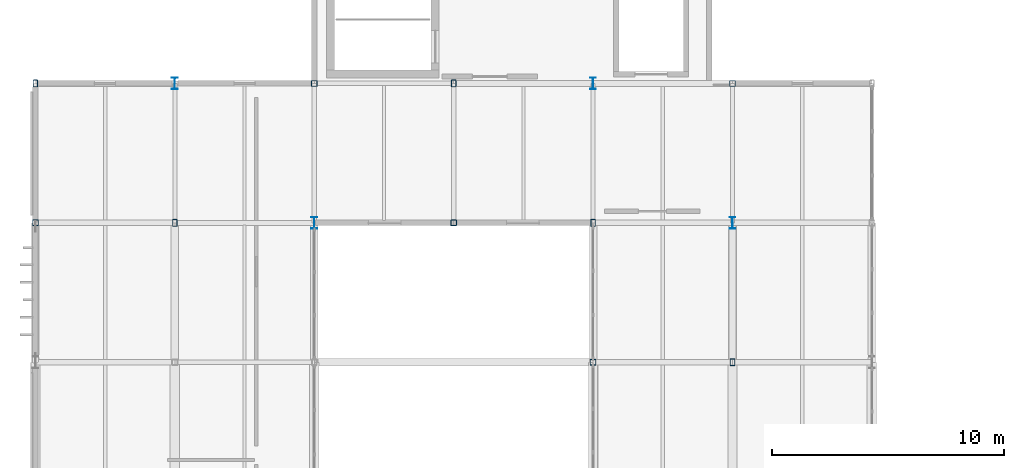
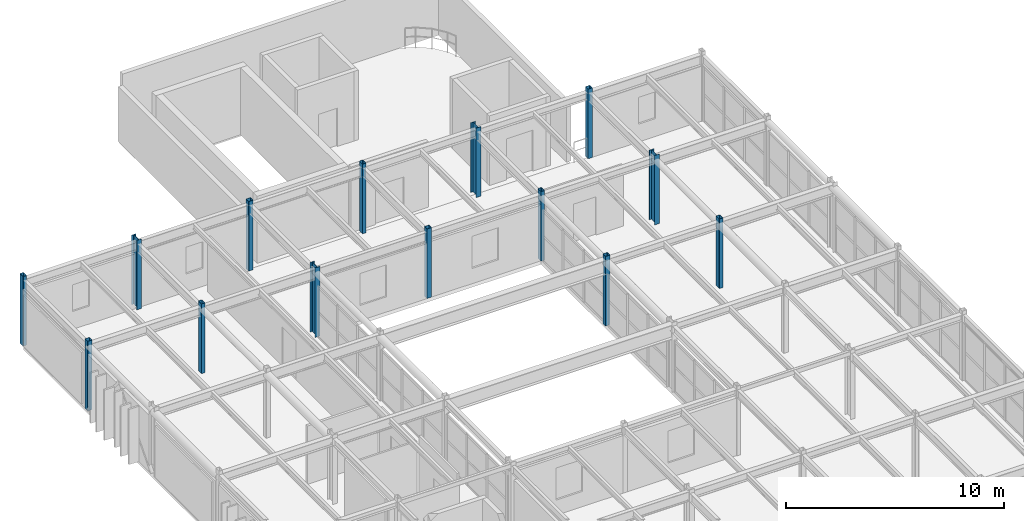
# One storey, part 3 of 63: 14 columns.
"""IFC4 building model written with IfcOpenShell, lengths in metres."""

from ifc_helpers import new_model, si_unit, direction, frame, origin, origin_2d, place, context, subcontext, project, spatial, hollow_rectangle, i_section, extrude, material, material_profile, profile_set, type_object, element, save


model = new_model("IFC4")

# Units and contexts
model_context = context("Model", 3, precision=1e-05, world=origin(), true_north=direction((0.0, 1.0)))
body_context = subcontext(model_context, "Body", "Model", "MODEL_VIEW")
ifc_project = project(units=[si_unit("LENGTHUNIT", "METRE"), si_unit("AREAUNIT", "SQUARE_METRE"), si_unit("VOLUMEUNIT", "CUBIC_METRE"), si_unit("PLANEANGLEUNIT", "RADIAN"), si_unit("MASSUNIT", "GRAM", prefix="KILO")], contexts=[model_context])

# Site, building, storey
site_placement = place(None, origin())
site = spatial("IfcSite", under=ifc_project, at=site_placement, CompositionType="ELEMENT")
building_placement = place(site_placement, origin())
building = spatial("IfcBuilding", under=site, at=building_placement, Name="Varnakota Square Police Headquarters", CompositionType="ELEMENT")
storey_placement = place(building_placement, frame((0.0, 0.0, 22.199951171875)))
storey = spatial("IfcBuildingStorey", under=building, at=storey_placement, Name="L05", CompositionType="ELEMENT", Elevation=22.199951171875)

# Columns
ifc_material = material(Name="Steel IS 2062 Grade 350", Category="steel")
ifc_material_profile_1 = material_profile(ifc_material, i_section(OverallWidth=0.25, OverallDepth=0.5, WebThickness=0.010009765625, FlangeThickness=0.0146484375, FilletRadius=0.014892578125, at=origin_2d()), Name="ISWB 500")
ifc_profile_set_1 = profile_set([ifc_material_profile_1], Name="Steel IS 2062 Grade 350")
column_type_1 = type_object("IfcColumnType", Name="COL-ISWB500", PredefinedType="COLUMN", material=ifc_profile_set_1)
for number, where, z_axis, x_axis, name in (
    (1, (12.0, 63.0, 0.0), (0.0, 0.0, 1.0), (1.0, 0.0, 0.0), "Column X0120-Y0630 L05"),
    (2, (18.0, 57.0, 0.0), (0.0, 0.0, 1.0), (1.0, 0.0, 0.0), "Column X0180-Y0570 L05"),
    (3, (30.0, 63.0, 0.0), (0.0, 0.0, 1.0), (1.0, 0.0, 0.0), "Column X0300-Y0630 L05"),
    (4, (36.0, 57.0, 0.0), (0.0, 0.0, 1.0), (1.0, 0.0, 0.0), "Column X0360-Y0570 L05"),
):
    element("IfcColumn", number, at=place(storey_placement, frame(where, z_axis=z_axis, x_axis=x_axis)), inside=storey, type_object=column_type_1, Name=name, PredefinedType="COLUMN", context=body_context, shape_type="SweptSolid", body=[
        extrude(i_section(OverallWidth=0.25, OverallDepth=0.5, WebThickness=0.010009765625, FlangeThickness=0.0146484375, FilletRadius=0.014892578125, at=origin_2d()), origin(), (0.0, 0.0, 1.0), 3.900146484375),
    ])
ifc_material_profile_2 = material_profile(ifc_material, hollow_rectangle(XDim=0.199951171875, YDim=0.300048828125, WallThickness=0.011962890625, InnerFilletRadius=0.011962890625, OuterFilletRadius=0.02392578125, at=origin_2d()), Name="RHS 300x200x12")
ifc_profile_set_2 = profile_set([ifc_material_profile_2], Name="Steel IS 2062 Grade 350")
column_type_2 = type_object("IfcColumnType", Name="COL-RHS300", PredefinedType="COLUMN", material=ifc_profile_set_2)
for number, where, z_axis, x_axis, name in (
    (5, (6.0, 63.0, 0.0), (0.0, 0.0, 1.0), (1.0, 0.0, 0.0), "Column X0060-Y0630 L05"),
    (6, (12.0, 57.0, 0.0), (0.0, 0.0, 1.0), (1.0, 0.0, 0.0), "Column X0120-Y0570 L05"),
    (7, (24.0, 63.0, 0.0), (0.0, 0.0, 1.0), (1.0, 0.0, 0.0), "Column X0240-Y0630 L05"),
    (8, (30.0, 57.0, 0.0), (0.0, 0.0, 1.0), (1.0, 0.0, 0.0), "Column X0300-Y0570 L05"),
    (9, (36.0, 51.0, 0.0), (0.0, 0.0, 1.0), (1.0, 0.0, 0.0), "Column X0360-Y0510 L05"),
):
    element("IfcColumn", number, at=place(storey_placement, frame(where, z_axis=z_axis, x_axis=x_axis)), inside=storey, type_object=column_type_2, Name=name, PredefinedType="COLUMN", context=body_context, shape_type="SweptSolid", body=[
        extrude(hollow_rectangle(XDim=0.199951171875, YDim=0.300048828125, WallThickness=0.011962890625, InnerFilletRadius=0.011962890625, OuterFilletRadius=0.02392578125, at=origin_2d()), origin(), (0.0, 0.0, 1.0), 3.900146484375),
    ])
ifc_material_profile_3 = material_profile(ifc_material, hollow_rectangle(XDim=0.25, YDim=0.25, WallThickness=0.011962890625, InnerFilletRadius=0.011962890625, OuterFilletRadius=0.02392578125, at=origin_2d()), Name="SHS 250x250x12")
ifc_profile_set_3 = profile_set([ifc_material_profile_3], Name="Steel IS 2062 Grade 350")
column_type_3 = type_object("IfcColumnType", Name="COL-SHS250", PredefinedType="COLUMN", material=ifc_profile_set_3)
for number, where, z_axis, x_axis, name in (
    (10, (6.0, 57.0, 0.0), (0.0, 0.0, 1.0), (1.0, 0.0, 0.0), "Column X0060-Y0570 L05"),
    (11, (18.0, 63.0, 0.0), (0.0, 0.0, 1.0), (1.0, 0.0, 0.0), "Column X0180-Y0630 L05"),
    (12, (24.0, 57.0, 0.0), (0.0, 0.0, 1.0), (1.0, 0.0, 0.0), "Column X0240-Y0570 L05"),
    (13, (30.0, 51.0, 0.0), (0.0, 0.0, 1.0), (1.0, 0.0, 0.0), "Column X0300-Y0510 L05"),
    (14, (36.0, 63.0, 0.0), (0.0, 0.0, 1.0), (1.0, 0.0, 0.0), "Column X0360-Y0630 L05"),
):
    element("IfcColumn", number, at=place(storey_placement, frame(where, z_axis=z_axis, x_axis=x_axis)), inside=storey, type_object=column_type_3, Name=name, PredefinedType="COLUMN", context=body_context, shape_type="SweptSolid", body=[
        extrude(hollow_rectangle(XDim=0.25, YDim=0.25, WallThickness=0.011962890625, InnerFilletRadius=0.011962890625, OuterFilletRadius=0.02392578125, at=origin_2d()), origin(), (0.0, 0.0, 1.0), 3.900146484375),
    ])

save(model, "model.ifc")
